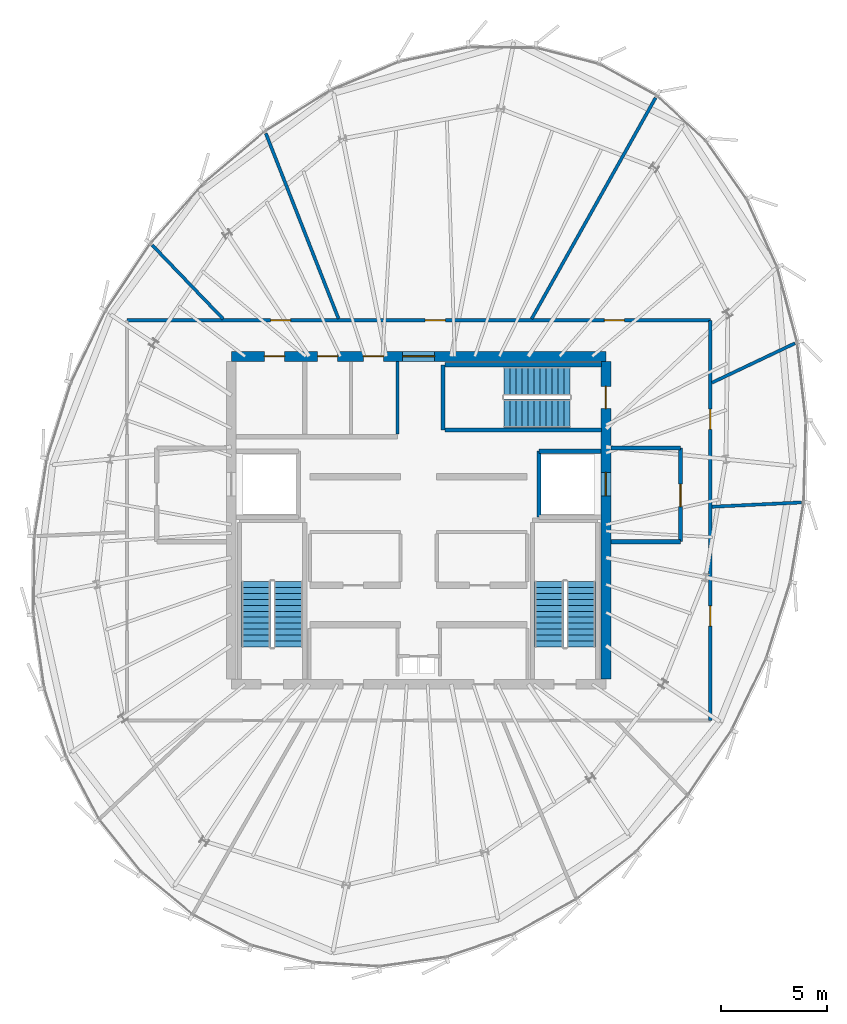
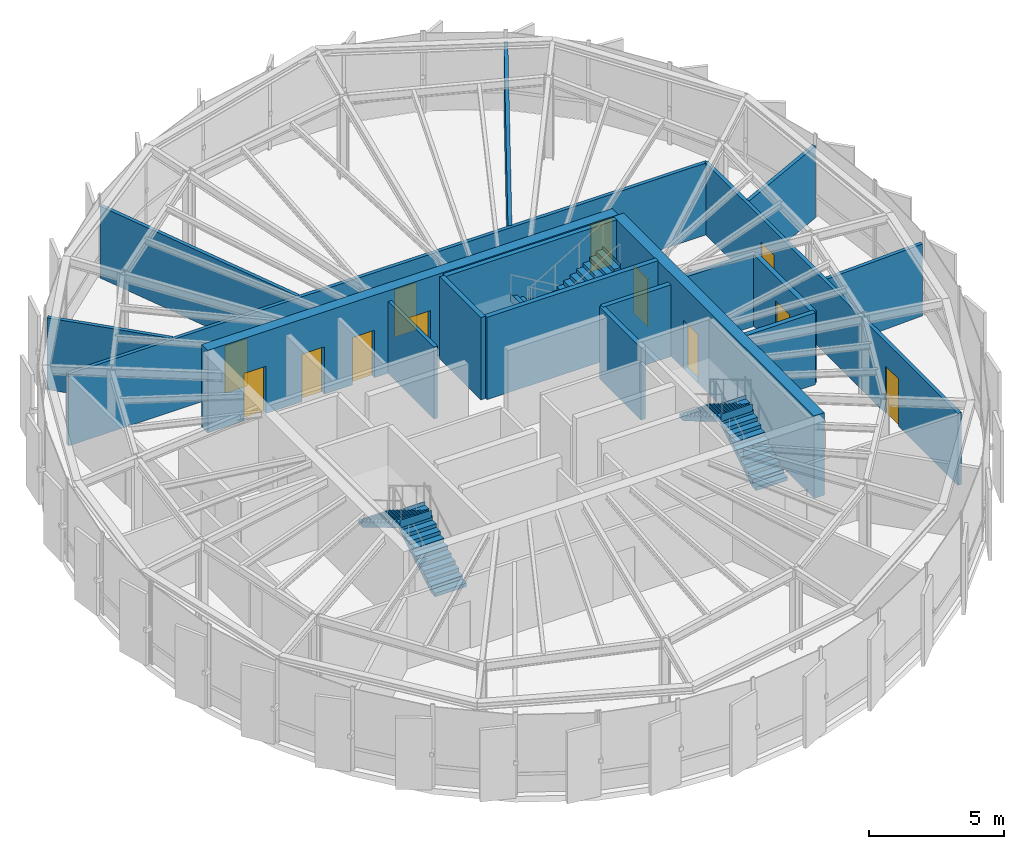
# One storey, part 23 of 27: 18 walls, 12 doors, 6 stair flights, 12 openings, 3 elements without a shape of their own.
"""IFC4 building model written with IfcOpenShell, lengths in metres."""

import ifcopenshell
import ifcopenshell.guid

model = None  # the IFC model being written
_history = None  # IfcOwnerHistory: only IFC2X3 demands one
_inside = {}  # id of a spatial element -> (the spatial element, [elements in it])
_under = {}  # id of a project, library or spatial element -> (it, [spatial elements below it])
_declared = {}  # id of a project -> (the project, [libraries it declares])
_typed = {}  # id of a type object -> (the type object, [elements of that type])
_made_of = {}  # id of a material, layer set ... -> (it, [elements and type objects made of it])


def new_model(schema):
    """Start an empty IFC model of exactly this schema.

    Asked for "IFC4X3", IfcOpenShell would pick the latest addendum, in which some entities
    have other attributes; the version numbers below select the first issue.
    IFC2X3 requires an IfcOwnerHistory on every rooted entity: one is made here for all.
    """
    global model, _history
    if schema == "IFC4X3":
        model = ifcopenshell.file(schema_version=(4, 3, 0, 0))
    else:
        model = ifcopenshell.file(schema=schema)
    _inside.clear()
    _under.clear()
    _declared.clear()
    _typed.clear()
    _made_of.clear()
    _history = None
    if model.schema == "IFC2X3":
        org = make("IfcOrganization", Name="unknown")
        user = make(
            "IfcPersonAndOrganization",
            ThePerson=make("IfcPerson", FamilyName="unknown"),
            TheOrganization=org,
        )
        app = make(
            "IfcApplication",
            ApplicationDeveloper=org,
            Version="unknown",
            ApplicationFullName="unknown",
            ApplicationIdentifier="unknown",
        )
        _history = make(
            "IfcOwnerHistory",
            OwningUser=user,
            OwningApplication=app,
            ChangeAction="ADDED",
            CreationDate=0,
        )
    return model


def make(cls, **values):
    """One entity of the class cls with the attributes given. An attribute that is None is left unset."""
    return model.create_entity(
        cls, **{name: value for name, value in values.items() if value is not None}
    )


def rooted(cls, **values):
    """An entity with a GlobalId (a new one), such as an element, a storey or a relation."""
    return make(cls, GlobalId=ifcopenshell.guid.new(), OwnerHistory=_history, **values)


def si_unit(unit_type, name, prefix=None):
    """IfcSIUnit, for example si_unit("LENGTHUNIT", "METRE", prefix="MILLI")."""
    return make("IfcSIUnit", UnitType=unit_type, Prefix=prefix, Name=name)


def assignment(units):
    """IfcUnitAssignment: the units of a project."""
    return None if units is None else make("IfcUnitAssignment", Units=units)


def point(xyz):
    """IfcCartesianPoint."""
    return None if xyz is None else make("IfcCartesianPoint", Coordinates=xyz)


def direction(xyz):
    """IfcDirection."""
    return None if xyz is None else make("IfcDirection", DirectionRatios=xyz)


def frame(location, z_axis=None, x_axis=None):
    """IfcAxis2Placement3D, a coordinate frame: its origin and axes. An axis left out is left unset."""
    return make(
        "IfcAxis2Placement3D",
        Location=point(location),
        Axis=direction(z_axis),
        RefDirection=direction(x_axis),
    )


def frame_2d(location, x_axis=None):
    """IfcAxis2Placement2D, a coordinate frame in the plane: its origin and x axis."""
    return make(
        "IfcAxis2Placement2D", Location=point(location), RefDirection=direction(x_axis)
    )


def origin():
    """The frame at (0, 0, 0) with its axes left unset."""
    return frame((0.0, 0.0, 0.0))


def place(relative_to, where):
    """IfcLocalPlacement: puts the frame where relative to a parent placement (None: the world)."""
    return make(
        "IfcLocalPlacement", PlacementRelTo=relative_to, RelativePlacement=where
    )


def context(
    kind, dimensions, precision=None, world=None, true_north=None, identifier=None
):
    """IfcGeometricRepresentationContext, for example the 3D "Model" context."""
    return make(
        "IfcGeometricRepresentationContext",
        ContextIdentifier=identifier,
        ContextType=kind,
        CoordinateSpaceDimension=dimensions,
        Precision=precision,
        WorldCoordinateSystem=world,
        TrueNorth=true_north,
    )


def subcontext(parent, identifier, kind, view, scale=None):
    """IfcGeometricRepresentationSubContext, for example "Body" below "Model"."""
    return make(
        "IfcGeometricRepresentationSubContext",
        ContextIdentifier=identifier,
        ContextType=kind,
        ParentContext=parent,
        TargetScale=scale,
        TargetView=view,
    )


def project(units=None, contexts=None):
    """IfcProject with its units and contexts."""
    return rooted(
        "IfcProject",
        Name="project",
        RepresentationContexts=contexts,
        UnitsInContext=assignment(units),
    )


def spatial(cls, under=None, at=None, **own):
    """A site, building, storey or space (cls), placed at a placement, below another one or the project."""
    s = rooted(cls, ObjectPlacement=at, **own)
    if under is not None:
        _under.setdefault(under.id(), (under, []))[1].append(s)
    return s


def polyline(points):
    """IfcPolyline through the points."""
    return make("IfcPolyline", Points=[point(p) for p in points])


def profile(cls, at=None, kind="AREA", **sizes):
    """A parametric profile (cls). Its sizes go by their IFC names, for example OverallWidth=200.0."""
    return make(cls, ProfileType=kind, Position=at, **sizes)


def rectangle(**sizes):
    """IfcRectangleProfileDef."""
    return profile("IfcRectangleProfileDef", **sizes)


def outline(outer, holes=None, kind="AREA"):
    """IfcArbitraryClosedProfileDef: a profile drawn as a closed curve; with holes, ...WithVoids."""
    if holes is None:
        return make("IfcArbitraryClosedProfileDef", ProfileType=kind, OuterCurve=outer)
    return make(
        "IfcArbitraryProfileDefWithVoids",
        ProfileType=kind,
        OuterCurve=outer,
        InnerCurves=holes,
    )


def extrude(swept, where, along, depth):
    """IfcExtrudedAreaSolid: the profile swept, set in the frame where, extruded along a direction by depth."""
    return make(
        "IfcExtrudedAreaSolid",
        SweptArea=swept,
        Position=where,
        ExtrudedDirection=direction(along),
        Depth=depth,
    )


def shape(context_of_items, identifier, shape_type, items):
    """IfcShapeRepresentation: the items that make up one representation, for example the "Body"."""
    return make(
        "IfcShapeRepresentation",
        ContextOfItems=context_of_items,
        RepresentationIdentifier=identifier,
        RepresentationType=shape_type,
        Items=items,
    )


def source(mapping_origin, context_of_items, identifier, shape_type, items):
    """IfcRepresentationMap: a shape defined once, which mapped items show again and again."""
    return make(
        "IfcRepresentationMap",
        MappingOrigin=mapping_origin,
        MappedRepresentation=shape(context_of_items, identifier, shape_type, items),
    )


def transform(
    local_origin,
    x_axis=None,
    y_axis=None,
    z_axis=None,
    scale=None,
    scale2=None,
    scale3=None,
    uniform=True,
):
    """IfcCartesianTransformationOperator3D, or its non-uniform kind. x_axis, y_axis, z_axis: its Axis1, 2, 3."""
    if uniform:
        return make(
            "IfcCartesianTransformationOperator3D",
            Axis1=direction(x_axis),
            Axis2=direction(y_axis),
            LocalOrigin=point(local_origin),
            Scale=scale,
            Axis3=direction(z_axis),
        )
    return make(
        "IfcCartesianTransformationOperator3DnonUniform",
        Axis1=direction(x_axis),
        Axis2=direction(y_axis),
        LocalOrigin=point(local_origin),
        Scale=scale,
        Axis3=direction(z_axis),
        Scale2=scale2,
        Scale3=scale3,
    )


def mapped(mapping_source, mapping_target):
    """IfcMappedItem: shows the shape of a source again, moved by a transform."""
    return make(
        "IfcMappedItem", MappingSource=mapping_source, MappingTarget=mapping_target
    )


def material(Name=None, Category=None):
    """IfcMaterial."""
    return make("IfcMaterial", Name=Name, Category=Category)


def layer(
    of_material, thickness, ventilated=None, Name=None, Category=None, Priority=None
):
    """IfcMaterialLayer: one layer of a wall or slab, of a material (None: an air gap)."""
    return make(
        "IfcMaterialLayer",
        Material=of_material,
        LayerThickness=thickness,
        IsVentilated=ventilated,
        Name=Name,
        Category=Category,
        Priority=Priority,
    )


def layer_set(layers, Name=None):
    """IfcMaterialLayerSet."""
    return make("IfcMaterialLayerSet", MaterialLayers=layers, LayerSetName=Name)


def made_of(thing, what):
    """Note that an element or type object is made of a material, layer set ...; save() writes the relation."""
    if what is not None:
        _made_of.setdefault(what.id(), (what, []))[1].append(thing)
    return thing


def type_object(cls, material=None, **own):
    """A type object (cls), such as IfcWallType, which elements share."""
    return made_of(rooted(cls, **own), material)


def element(
    cls,
    number,
    at=None,
    inside=None,
    cuts=None,
    type_object=None,
    material=None,
    context=None,
    identifier="Body",
    shape_type=None,
    held_by="IfcProductDefinitionShape",
    body=None,
    shapes=None,
    **own,
):
    """One element of the class cls, such as IfcWall. Its Tag is "e" and its number.

    at: its placement. inside: the storey or other place that contains it. cuts: it is an
    opening in that element (IfcRelVoidsElement). A single representation is given by context,
    identifier, shape_type and body (its items); several are given by shapes. held_by: the class
    of the entity that holds the representations. save() writes the other relations.
    """
    e = rooted(cls, Tag="e%d" % number, ObjectPlacement=at, **own)
    if body is not None:
        shapes = [shape(context, identifier, shape_type, body)]
    if shapes is not None:
        e.Representation = make(held_by, Representations=shapes)
    if inside is not None:
        _inside.setdefault(inside.id(), (inside, []))[1].append(e)
    if cuts is not None:
        rooted(
            "IfcRelVoidsElement", RelatingBuildingElement=cuts, RelatedOpeningElement=e
        )
    if type_object is not None:
        _typed.setdefault(type_object.id(), (type_object, []))[1].append(e)
    return made_of(e, material)


def fill(opening, filler):
    """IfcRelFillsElement: the door or window that sits in an opening."""
    return rooted(
        "IfcRelFillsElement",
        RelatingOpeningElement=opening,
        RelatedBuildingElement=filler,
    )


def aggregate(whole, parts):
    """IfcRelAggregates: a whole, such as a stair, and the parts it consists of."""
    return rooted("IfcRelAggregates", RelatingObject=whole, RelatedObjects=parts)


def save(model, path):
    """Write the relations noted so far, then the file.

    IfcRelAggregates (storeys below a building ...), IfcRelContainedInSpatialStructure (elements
    in a storey), IfcRelDefinesByType, IfcRelAssociatesMaterial and IfcRelDeclares: one each for
    every whole, place, type object, material and project.
    """
    for whole, parts in _under.values():
        aggregate(whole, parts)
    for where, things in _inside.values():
        rooted(
            "IfcRelContainedInSpatialStructure",
            RelatedElements=things,
            RelatingStructure=where,
        )
    for kind, things in _typed.values():
        rooted("IfcRelDefinesByType", RelatedObjects=things, RelatingType=kind)
    for what, things in _made_of.values():
        rooted("IfcRelAssociatesMaterial", RelatedObjects=things, RelatingMaterial=what)
    for by, libraries in _declared.values():
        rooted("IfcRelDeclares", RelatingContext=by, RelatedDefinitions=libraries)
    model.write(path)


model = new_model("IFC4")

# Units and contexts
model_context = context("Model", 3, precision=1e-05, world=origin(), true_north=direction((0.0, 1.0)))
body_context = subcontext(model_context, "Body", "Model", "MODEL_VIEW")
ifc_project = project(units=[si_unit("LENGTHUNIT", "METRE"), si_unit("AREAUNIT", "SQUARE_METRE"), si_unit("VOLUMEUNIT", "CUBIC_METRE"), si_unit("PLANEANGLEUNIT", "RADIAN"), si_unit("MASSUNIT", "GRAM", prefix="KILO"), si_unit("THERMODYNAMICTEMPERATUREUNIT", "KELVIN")], contexts=[model_context])

# Site, building, storey
site_placement = place(None, origin())
site = spatial("IfcSite", under=ifc_project, at=site_placement, CompositionType="ELEMENT")
building_placement = place(site_placement, origin())
building = spatial("IfcBuilding", under=site, at=building_placement, Name="Kethvar Cultural Tower", CompositionType="ELEMENT")
storey_placement = place(building_placement, frame((0.0, 0.0, 308.300048828125)))
storey = spatial("IfcBuildingStorey", under=building, at=storey_placement, Name="L82", CompositionType="ELEMENT", Elevation=308.300048828125)

# Wall, openings, doors
ifc_material_1 = material(Name="Concrete C50/60", Category="concrete")
ifc_layer_1 = layer(ifc_material_1, 0.449951171875, Name="Concrete C50/60", Category="concrete")
ifc_layer_set_1 = layer_set([ifc_layer_1], Name="Concrete C50/60 (450 mm)")
wall_type_1 = type_object("IfcWallType", Name="WL-CORE-450", PredefinedType="SHEAR", material=ifc_layer_set_1)
wall_1_placement = place(storey_placement, frame((55.60009765625, 35.5, 0.0), z_axis=(0.0, 0.0, 1.0), x_axis=(-1.0, 0.0, 0.0)))
wall_1 = element("IfcWall", 1, at=wall_1_placement, inside=storey, type_object=wall_type_1, Name="L82 Core Shear Wall N", PredefinedType="SHEAR", context=body_context, shape_type="SweptSolid", body=[
    extrude(rectangle(XDim=17.60009765625, YDim=0.449951171875, at=frame_2d((8.800048828125, 0.0))), origin(), (0.0, 0.0, 1.0), 3.73486328125),
])
opening_1_placement = place(wall_1_placement, frame((8.050048828125, 0.0, 0.0)))
opening_1 = element("IfcOpeningElement", 2, at=opening_1_placement, cuts=wall_1, Name="Opening D-L82-LN", PredefinedType="OPENING", context=body_context, shape_type="SweptSolid", body=[
    extrude(rectangle(XDim=1.5, YDim=2.199951171875, at=frame_2d((0.75, 1.10009765625))), frame((0.0, 0.23486328125, 0.0), z_axis=(0.0, -1.0, 0.0), x_axis=(1.0, 0.0, 0.0)), (0.0, 0.0, 1.0), 0.469970703125),
])
opening_2_placement = place(wall_1_placement, frame((15.10009765625, 0.0, 0.0)))
opening_2 = element("IfcOpeningElement", 3, at=opening_2_placement, cuts=wall_1, Name="Opening D-L82-E1", PredefinedType="OPENING", context=body_context, shape_type="SweptSolid", body=[
    extrude(rectangle(XDim=0.949951171875, YDim=2.14990234375, at=frame_2d((0.47509765625, 1.074951171875))), frame((0.0, 0.23486328125, 0.0), z_axis=(0.0, -1.0, 0.0), x_axis=(1.0, 0.0, 0.0)), (0.0, 0.0, 1.0), 0.469970703125),
])
opening_3_placement = place(wall_1_placement, frame((12.60009765625, 0.0, 0.0)))
opening_3 = element("IfcOpeningElement", 4, at=opening_3_placement, cuts=wall_1, Name="Opening D-L82-W1", PredefinedType="OPENING", context=body_context, shape_type="SweptSolid", body=[
    extrude(rectangle(XDim=0.949951171875, YDim=2.14990234375, at=frame_2d((0.47509765625, 1.074951171875))), frame((0.0, 0.23486328125, 0.0), z_axis=(0.0, -1.0, 0.0), x_axis=(1.0, 0.0, 0.0)), (0.0, 0.0, 1.0), 0.469970703125),
])
opening_4_placement = place(wall_1_placement, frame((10.449951171875, 0.0, 0.0)))
opening_4 = element("IfcOpeningElement", 5, at=opening_4_placement, cuts=wall_1, Name="Opening D-L82-W2", PredefinedType="OPENING", context=body_context, shape_type="SweptSolid", body=[
    extrude(rectangle(XDim=0.949951171875, YDim=2.14990234375, at=frame_2d((0.47509765625, 1.074951171875))), frame((0.0, 0.23486328125, 0.0), z_axis=(0.0, -1.0, 0.0), x_axis=(1.0, 0.0, 0.0)), (0.0, 0.0, 1.0), 0.469970703125),
])
ifc_material_2 = material(Name="Architectural Oak Timber", Category="wood")
door_type_1 = type_object("IfcDoorType", Name="DR-DBL-FD60-1500", OperationType="DOUBLE_DOOR_SINGLE_SWING", PredefinedType="DOOR", material=ifc_material_2)
shared_shape_1 = source(origin(), body_context, "Body", "SweptSolid", [
    extrude(rectangle(XDim=1.5, YDim=2.199951171875, at=frame_2d((0.75, 1.10009765625))), frame((0.0, 0.02490234375, 0.0), z_axis=(0.0, -1.0, 0.0), x_axis=(1.0, 0.0, 0.0)), (0.0, 0.0, 1.0), 0.050048828125),
])
door_1_placement = place(opening_1_placement, origin())
door_1 = element("IfcDoor", 6, at=door_1_placement, inside=storey, type_object=door_type_1, Name="L82 Lift Lobby Concourse Door", OperationType="DOUBLE_DOOR_SINGLE_SWING", OverallHeight=2.199951171875, OverallWidth=1.5, PredefinedType="DOOR", context=body_context, shape_type="MappedRepresentation", body=[
    mapped(shared_shape_1, transform((0.0, 0.0, 0.0), scale=1.0)),
])
fill(opening_1, door_1)
door_type_2 = type_object("IfcDoorType", Name="DR-FD30-950", OperationType="NOTDEFINED", PredefinedType="DOOR", material=ifc_material_2)
shared_shape_2 = source(origin(), body_context, "Body", "SweptSolid", [
    extrude(rectangle(XDim=0.949951171875, YDim=2.14990234375, at=frame_2d((0.47509765625, 1.074951171875))), frame((0.0, 0.02490234375, 0.0), z_axis=(0.0, -1.0, 0.0), x_axis=(1.0, 0.0, 0.0)), (0.0, 0.0, 1.0), 0.050048828125),
])
door_2_placement = place(opening_2_placement, origin())
door_2 = element("IfcDoor", 7, at=door_2_placement, inside=storey, type_object=door_type_2, Name="L82 Electrical Switchgear Door", OperationType="SINGLE_SWING_RIGHT", OverallHeight=2.14990234375, OverallWidth=0.949951171875, PredefinedType="DOOR", context=body_context, shape_type="MappedRepresentation", body=[
    mapped(shared_shape_2, transform((0.0, 0.0, 0.0), scale=1.0)),
])
fill(opening_2, door_2)
door_3_placement = place(opening_3_placement, origin())
door_3 = element("IfcDoor", 8, at=door_3_placement, inside=storey, type_object=door_type_2, Name="L82 Accessible Washroom Door", OperationType="SINGLE_SWING_LEFT", OverallHeight=2.14990234375, OverallWidth=0.949951171875, PredefinedType="DOOR", context=body_context, shape_type="MappedRepresentation", body=[
    mapped(shared_shape_2, transform((0.0, 0.0, 0.0), scale=1.0)),
])
fill(opening_3, door_3)
door_4_placement = place(opening_4_placement, origin())
door_4 = element("IfcDoor", 9, at=door_4_placement, inside=storey, type_object=door_type_2, Name="L82 Public Washroom Door", OperationType="SINGLE_SWING_RIGHT", OverallHeight=2.14990234375, OverallWidth=0.949951171875, PredefinedType="DOOR", context=body_context, shape_type="MappedRepresentation", body=[
    mapped(shared_shape_2, transform((0.0, 0.0, 0.0), scale=1.0)),
])
fill(opening_4, door_4)

wall_2_placement = place(storey_placement, frame((55.60009765625, 20.340087890625, 0.0), z_axis=(0.0, 0.0, 1.0), x_axis=(0.0, 1.0, 0.0)))
wall_2 = element("IfcWall", 10, at=wall_2_placement, inside=storey, type_object=wall_type_1, Name="L82 Core Shear Wall E", PredefinedType="SHEAR", context=body_context, shape_type="SweptSolid", body=[
    extrude(rectangle(XDim=14.919921875, YDim=0.449951171875, at=frame_2d((7.4599609375, 0.0))), origin(), (0.0, 0.0, 1.0), 3.73486328125),
])
opening_5_placement = place(wall_2_placement, frame((12.7099609375, 0.0, 0.0)))
opening_5 = element("IfcOpeningElement", 11, at=opening_5_placement, cuts=wall_2, Name="Opening D-L82-S3", PredefinedType="OPENING", context=body_context, shape_type="SweptSolid", body=[
    extrude(rectangle(XDim=1.050048828125, YDim=2.14990234375, at=frame_2d((0.52490234375, 1.074951171875))), frame((0.0, 0.23486328125, 0.0), z_axis=(0.0, -1.0, 0.0), x_axis=(1.0, 0.0, 0.0)), (0.0, 0.0, 1.0), 0.469970703125),
])
opening_6_placement = place(wall_2_placement, frame((8.610107421875, 0.0, 0.0)))
opening_6 = element("IfcOpeningElement", 12, at=opening_6_placement, cuts=wall_2, Name="Opening LD-2", PredefinedType="OPENING", context=body_context, shape_type="SweptSolid", body=[
    extrude(rectangle(XDim=1.10009765625, YDim=2.199951171875, at=frame_2d((0.550048828125, 1.10009765625))), frame((0.0, 0.23486328125, 0.0), z_axis=(0.0, -1.0, 0.0), x_axis=(1.0, 0.0, 0.0)), (0.0, 0.0, 1.0), 0.469970703125),
])
ifc_material_3 = material(Name="Steel S355J2", Category="steel")
door_type_3 = type_object("IfcDoorType", Name="DR-FD60-1050", OperationType="NOTDEFINED", PredefinedType="DOOR", material=ifc_material_3)
shared_shape_3 = source(origin(), body_context, "Body", "SweptSolid", [
    extrude(rectangle(XDim=1.050048828125, YDim=2.14990234375, at=frame_2d((0.52490234375, 1.074951171875))), frame((0.0, 0.02490234375, 0.0), z_axis=(0.0, -1.0, 0.0), x_axis=(1.0, 0.0, 0.0)), (0.0, 0.0, 1.0), 0.050048828125),
])
door_5_placement = place(opening_5_placement, origin())
door_5 = element("IfcDoor", 13, at=door_5_placement, inside=storey, type_object=door_type_3, Name="L82 Exit Stair 3 Door", OperationType="SINGLE_SWING_LEFT", OverallHeight=2.14990234375, OverallWidth=1.050048828125, PredefinedType="DOOR", context=body_context, shape_type="MappedRepresentation", body=[
    mapped(shared_shape_3, transform((0.0, 0.0, 0.0), scale=1.0)),
])
fill(opening_5, door_5)
door_type_4 = type_object("IfcDoorType", Name="DR-LIFT-SLIDE-1100", OperationType="NOTDEFINED", PredefinedType="DOOR", material=ifc_material_3)
shared_shape_4 = source(origin(), body_context, "Body", "SweptSolid", [
    extrude(rectangle(XDim=1.10009765625, YDim=2.199951171875, at=frame_2d((0.550048828125, 1.10009765625))), frame((0.0, 0.02490234375, 0.0), z_axis=(0.0, -1.0, 0.0), x_axis=(1.0, 0.0, 0.0)), (0.0, 0.0, 1.0), 0.050048828125),
])
door_6_placement = place(opening_6_placement, origin())
door_6 = element("IfcDoor", 14, at=door_6_placement, inside=storey, type_object=door_type_4, Name="L82 Firefighting Lift Landing Door FFL-02", OperationType="SLIDING_TO_RIGHT", OverallHeight=2.199951171875, OverallWidth=1.10009765625, PredefinedType="DOOR", context=body_context, shape_type="MappedRepresentation", body=[
    mapped(shared_shape_4, transform((0.0, 0.0, 0.0), scale=1.0)),
])
fill(opening_6, door_6)

# Wall
ifc_material_4 = material(Name="Gypsum Fireboard Partition")
ifc_layer_2 = layer(ifc_material_4, 0.14990234375, Name="Gypsum Fireboard Partition")
ifc_layer_set_2 = layer_set([ifc_layer_2], Name="Gypsum Fireboard Partition (150 mm)")
wall_type_2 = type_object("IfcWallType", Name="WL-FIRE-150", PredefinedType="PARTITIONING", material=ifc_layer_set_2)
wall_3_placement = place(storey_placement, frame((45.800048828125, 31.85009765625, 0.0), z_axis=(0.0, 0.0, 1.0), x_axis=(0.0, 1.0, 0.0)))
element("IfcWall", 15, at=wall_3_placement, inside=storey, type_object=wall_type_2, Name="L82 Sanitary Spine Wall", PredefinedType="PARTITIONING", context=body_context, shape_type="SweptSolid", body=[
    extrude(rectangle(XDim=3.414794921875, YDim=0.14990234375, at=frame_2d((1.70751953125, 0.0))), origin(), (0.0, 0.0, 1.0), 3.260009765625),
])

# Wall, openings, doors
wall_4_placement = place(storey_placement, frame((60.5, 18.39990234375, 0.0), z_axis=(0.0, 0.0, 1.0), x_axis=(0.0, 1.0, 0.0)))
wall_4 = element("IfcWall", 16, at=wall_4_placement, inside=storey, type_object=wall_type_2, Name="L82 Corridor Rated Wall E", PredefinedType="PARTITIONING", context=body_context, shape_type="SweptSolid", body=[
    extrude(rectangle(XDim=18.800048828125, YDim=0.14990234375, at=frame_2d((9.39990234375, 0.0))), origin(), (0.0, 0.0, 1.0), 3.260009765625),
])
opening_7_placement = place(wall_4_placement, frame((4.432861328125, 0.0, 0.0)))
opening_7 = element("IfcOpeningElement", 17, at=opening_7_placement, cuts=wall_4, Name="Opening D-L82-05", PredefinedType="OPENING", context=body_context, shape_type="SweptSolid", body=[
    extrude(rectangle(XDim=0.949951171875, YDim=2.14990234375, at=frame_2d((0.47509765625, 1.074951171875))), frame((0.0, 0.0849609375, 0.0), z_axis=(0.0, -1.0, 0.0), x_axis=(1.0, 0.0, 0.0)), (0.0, 0.0, 1.0), 0.169921875),
])
opening_8_placement = place(wall_4_placement, frame((13.672119140625, 0.0, 0.0)))
opening_8 = element("IfcOpeningElement", 18, at=opening_8_placement, cuts=wall_4, Name="Opening D-L82-06", PredefinedType="OPENING", context=body_context, shape_type="SweptSolid", body=[
    extrude(rectangle(XDim=0.949951171875, YDim=2.14990234375, at=frame_2d((0.47509765625, 1.074951171875))), frame((0.0, 0.0849609375, 0.0), z_axis=(0.0, -1.0, 0.0), x_axis=(1.0, 0.0, 0.0)), (0.0, 0.0, 1.0), 0.169921875),
])
door_7_placement = place(opening_7_placement, origin())
door_7 = element("IfcDoor", 19, at=door_7_placement, inside=storey, type_object=door_type_2, Name="L82 Fire Reserve Tank Plant Room 05 Door", OperationType="SINGLE_SWING_LEFT", OverallHeight=2.14990234375, OverallWidth=0.949951171875, PredefinedType="DOOR", context=body_context, shape_type="MappedRepresentation", body=[
    mapped(shared_shape_2, transform((0.0, 0.0, 0.0), scale=1.0)),
])
fill(opening_7, door_7)
door_8_placement = place(opening_8_placement, origin())
door_8 = element("IfcDoor", 20, at=door_8_placement, inside=storey, type_object=door_type_2, Name="L82 Facade BMU Mechanical Plant Room 06 Door", OperationType="SINGLE_SWING_RIGHT", OverallHeight=2.14990234375, OverallWidth=0.949951171875, PredefinedType="DOOR", context=body_context, shape_type="MappedRepresentation", body=[
    mapped(shared_shape_2, transform((0.0, 0.0, 0.0), scale=1.0)),
])
fill(opening_8, door_8)

wall_5_placement = place(storey_placement, frame((60.5, 37.199951171875, 0.0), z_axis=(0.0, 0.0, 1.0), x_axis=(-1.0, 0.0, 0.0)))
wall_5 = element("IfcWall", 21, at=wall_5_placement, inside=storey, type_object=wall_type_2, Name="L82 Corridor Rated Wall N", PredefinedType="PARTITIONING", context=body_context, shape_type="SweptSolid", body=[
    extrude(rectangle(XDim=27.39990234375, YDim=0.14990234375, at=frame_2d((13.699951171875, 0.0))), origin(), (0.0, 0.0, 1.0), 3.260009765625),
])
opening_9_placement = place(wall_5_placement, frame((4.030029296875, 0.0, 0.0)))
opening_9 = element("IfcOpeningElement", 22, at=opening_9_placement, cuts=wall_5, Name="Opening D-L82-07", PredefinedType="OPENING", context=body_context, shape_type="SweptSolid", body=[
    extrude(rectangle(XDim=0.949951171875, YDim=2.14990234375, at=frame_2d((0.47509765625, 1.074951171875))), frame((0.0, 0.0849609375, 0.0), z_axis=(0.0, -1.0, 0.0), x_axis=(1.0, 0.0, 0.0)), (0.0, 0.0, 1.0), 0.169921875),
])
opening_10_placement = place(wall_5_placement, frame((12.44677734375, 0.0, 0.0)))
opening_10 = element("IfcOpeningElement", 23, at=opening_10_placement, cuts=wall_5, Name="Opening D-L82-08", PredefinedType="OPENING", context=body_context, shape_type="SweptSolid", body=[
    extrude(rectangle(XDim=0.949951171875, YDim=2.14990234375, at=frame_2d((0.47509765625, 1.074951171875))), frame((0.0, 0.0849609375, 0.0), z_axis=(0.0, -1.0, 0.0), x_axis=(1.0, 0.0, 0.0)), (0.0, 0.0, 1.0), 0.169921875),
])
opening_11_placement = place(wall_5_placement, frame((19.70849609375, 0.0, 0.0)))
opening_11 = element("IfcOpeningElement", 24, at=opening_11_placement, cuts=wall_5, Name="Opening D-L82-09", PredefinedType="OPENING", context=body_context, shape_type="SweptSolid", body=[
    extrude(rectangle(XDim=0.949951171875, YDim=2.14990234375, at=frame_2d((0.47509765625, 1.074951171875))), frame((0.0, 0.0849609375, 0.0), z_axis=(0.0, -1.0, 0.0), x_axis=(1.0, 0.0, 0.0)), (0.0, 0.0, 1.0), 0.169921875),
])
door_9_placement = place(opening_9_placement, origin())
door_9 = element("IfcDoor", 25, at=door_9_placement, inside=storey, type_object=door_type_2, Name="L82 Cooling Tower Pump Plant Room 07 Door", OperationType="SINGLE_SWING_LEFT", OverallHeight=2.14990234375, OverallWidth=0.949951171875, PredefinedType="DOOR", context=body_context, shape_type="MappedRepresentation", body=[
    mapped(shared_shape_2, transform((0.0, 0.0, 0.0), scale=1.0)),
])
fill(opening_9, door_9)
door_10_placement = place(opening_10_placement, origin())
door_10 = element("IfcDoor", 26, at=door_10_placement, inside=storey, type_object=door_type_2, Name="L82 Emergency UPS Plant Room 08 Door", OperationType="SINGLE_SWING_RIGHT", OverallHeight=2.14990234375, OverallWidth=0.949951171875, PredefinedType="DOOR", context=body_context, shape_type="MappedRepresentation", body=[
    mapped(shared_shape_2, transform((0.0, 0.0, 0.0), scale=1.0)),
])
fill(opening_10, door_10)
door_11_placement = place(opening_11_placement, origin())
door_11 = element("IfcDoor", 27, at=door_11_placement, inside=storey, type_object=door_type_2, Name="L82 Smoke Extract Mechanical Plant Room 09 Door", OperationType="SINGLE_SWING_LEFT", OverallHeight=2.14990234375, OverallWidth=0.949951171875, PredefinedType="DOOR", context=body_context, shape_type="MappedRepresentation", body=[
    mapped(shared_shape_2, transform((0.0, 0.0, 0.0), scale=1.0)),
])
fill(opening_11, door_11)

# Walls
wall_6_placement = place(storey_placement, frame((60.579833984375, 28.439208984375, 0.0), z_axis=(0.0, 0.0, 1.0), x_axis=(0.998828771517, 0.048384761961, 0.0)))
element("IfcWall", 28, at=wall_6_placement, inside=storey, type_object=wall_type_2, Name="L82 Radial Partition Wall 06", PredefinedType="PARTITIONING", context=body_context, shape_type="SweptSolid", body=[
    extrude(rectangle(XDim=4.203125, YDim=0.14990234375, at=frame_2d((2.1015625, 0.0))), origin(), (0.0, 0.0, 1.0), 3.260009765625),
])
wall_7_placement = place(storey_placement, frame((60.572265625, 34.263916015625, 0.0), z_axis=(0.0, 0.0, 1.0), x_axis=(0.903261650303, 0.429090189928, 0.0)))
element("IfcWall", 29, at=wall_7_placement, inside=storey, type_object=wall_type_2, Name="L82 Radial Partition Wall 07", PredefinedType="PARTITIONING", context=body_context, shape_type="SweptSolid", body=[
    extrude(rectangle(XDim=4.3271484375, YDim=0.14990234375, at=frame_2d((2.16357421875, 0.0))), origin(), (0.0, 0.0, 1.0), 3.260009765625),
])
wall_8_placement = place(storey_placement, frame((52.10888671875, 37.269775390625, 0.0), z_axis=(0.0, 0.0, 1.0), x_axis=(0.489088509426, 0.872234160044, 0.0)))
element("IfcWall", 30, at=wall_8_placement, inside=storey, type_object=wall_type_2, Name="L82 Radial Partition Wall 08", PredefinedType="PARTITIONING", context=body_context, shape_type="SweptSolid", body=[
    extrude(rectangle(XDim=11.90478515625, YDim=0.14990234375, at=frame_2d((5.952392578125, 0.0))), origin(), (0.0, 0.0, 1.0), 3.260009765625),
])
wall_9_placement = place(storey_placement, frame((43.037841796875, 37.2744140625, 0.0), z_axis=(0.0, 0.0, 1.0), x_axis=(-0.365328438703, 0.930878688055, 0.0)))
element("IfcWall", 31, at=wall_9_placement, inside=storey, type_object=wall_type_2, Name="L82 Radial Partition Wall 09", PredefinedType="PARTITIONING", context=body_context, shape_type="SweptSolid", body=[
    extrude(rectangle(XDim=9.351318359375, YDim=0.14990234375, at=frame_2d((4.67578125, 0.0))), origin(), (0.0, 0.0, 1.0), 3.260009765625),
])
wall_10_placement = place(storey_placement, frame((37.62109375, 37.2578125, 0.0), z_axis=(0.0, 0.0, 1.0), x_axis=(-0.692861722407, 0.72107047757, 0.0)))
element("IfcWall", 32, at=wall_10_placement, inside=storey, type_object=wall_type_2, Name="L82 Radial Partition Wall 10", PredefinedType="PARTITIONING", context=body_context, shape_type="SweptSolid", body=[
    extrude(rectangle(XDim=4.82080078125, YDim=0.14990234375, at=frame_2d((2.410400390625, 0.0))), origin(), (0.0, 0.0, 1.0), 3.260009765625),
])
ifc_material_5 = material(Name="Concrete C40/50", Category="concrete")
ifc_layer_3 = layer(ifc_material_5, 0.199951171875, Name="Concrete C40/50", Category="concrete")
ifc_layer_set_3 = layer_set([ifc_layer_3], Name="Concrete C40/50 (200 mm)")
wall_type_3 = type_object("IfcWallType", Name="WL-FIRE-200", PredefinedType="PARTITIONING", material=ifc_layer_set_3)
wall_11_placement = place(storey_placement, frame((52.449951171875, 27.949951171875, 0.0), z_axis=(0.0, 0.0, 1.0), x_axis=(0.0, 1.0, 0.0)))
element("IfcWall", 33, at=wall_11_placement, inside=storey, type_object=wall_type_3, Name="L82 FFL-02 Shaft Inner Wall", PredefinedType="PARTITIONING", context=body_context, shape_type="SweptSolid", body=[
    extrude(rectangle(XDim=3.10009765625, YDim=0.199951171875, at=frame_2d((1.550048828125, 0.0))), origin(), (0.0, 0.0, 1.0), 3.260009765625),
])
wall_12_placement = place(storey_placement, frame((52.449951171875, 31.050048828125, 0.0), z_axis=(0.0, 0.0, 1.0), x_axis=(1.0, 0.0, 0.0)))
element("IfcWall", 34, at=wall_12_placement, inside=storey, type_object=wall_type_3, Name="L82 FFL-02 Shaft North Wall", PredefinedType="PARTITIONING", context=body_context, shape_type="SweptSolid", body=[
    extrude(rectangle(XDim=2.9150390625, YDim=0.199951171875, at=frame_2d((1.45751953125, 0.0))), origin(), (0.0, 0.0, 1.0), 3.260009765625),
])

# Wall, opening, door
wall_13_placement = place(storey_placement, frame((59.10009765625, 26.800048828125, 0.0), z_axis=(0.0, 0.0, 1.0), x_axis=(0.0, 1.0, 0.0)))
wall_13 = element("IfcWall", 35, at=wall_13_placement, inside=storey, type_object=wall_type_3, Name="L82 Firefighting Lobby 2 Wall", PredefinedType="PARTITIONING", context=body_context, shape_type="SweptSolid", body=[
    extrude(rectangle(XDim=4.39990234375, YDim=0.199951171875, at=frame_2d((2.199951171875, 0.0))), origin(), (0.0, 0.0, 1.0), 3.260009765625),
])
opening_12_placement = place(wall_13_placement, frame((1.64990234375, 0.0, 0.0)))
opening_12 = element("IfcOpeningElement", 36, at=opening_12_placement, cuts=wall_13, Name="Opening D-L82-F2", PredefinedType="OPENING", context=body_context, shape_type="SweptSolid", body=[
    extrude(rectangle(XDim=1.050048828125, YDim=2.14990234375, at=frame_2d((0.52490234375, 1.074951171875))), frame((0.0, 0.10986328125, 0.0), z_axis=(0.0, -1.0, 0.0), x_axis=(1.0, 0.0, 0.0)), (0.0, 0.0, 1.0), 0.219970703125),
])
door_12_placement = place(opening_12_placement, origin())
door_12 = element("IfcDoor", 37, at=door_12_placement, inside=storey, type_object=door_type_3, Name="L82 Firefighting Lobby 2 Fire Door", OperationType="SINGLE_SWING_LEFT", OverallHeight=2.14990234375, OverallWidth=1.050048828125, PredefinedType="DOOR", context=body_context, shape_type="MappedRepresentation", body=[
    mapped(shared_shape_3, transform((0.0, 0.0, 0.0), scale=1.0)),
])
fill(opening_12, door_12)

# Walls
for number, where, z_axis, x_axis, name in (
    (38, (55.8349609375, 26.800048828125, 0.0), (0.0, 0.0, 1.0), (1.0, 0.0, 0.0), "L82 FF Lobby 2 South Wall"),
    (39, (55.8349609375, 31.199951171875, 0.0), (0.0, 0.0, 1.0), (1.0, 0.0, 0.0), "L82 FF Lobby 2 North Wall"),
):
    element("IfcWall", number, at=place(storey_placement, frame(where, z_axis=z_axis, x_axis=x_axis)), inside=storey, type_object=wall_type_3, Name=name, PredefinedType="PARTITIONING", context=body_context, shape_type="SweptSolid", body=[
        extrude(rectangle(XDim=3.26513671875, YDim=0.199951171875, at=frame_2d((1.632568359375, 0.0))), origin(), (0.0, 0.0, 1.0), 3.260009765625),
    ])
ifc_layer_4 = layer(ifc_material_1, 0.199951171875, Name="Concrete C50/60", Category="concrete")
ifc_layer_set_4 = layer_set([ifc_layer_4], Name="Concrete C50/60 (200 mm)")
wall_type_4 = type_object("IfcWallType", Name="WL-STSHAFT-200", PredefinedType="SHEAR", material=ifc_layer_set_4)
wall_14_placement = place(storey_placement, frame((47.949951171875, 32.050048828125, 0.0), z_axis=(0.0, 0.0, 1.0), x_axis=(0.0, 1.0, 0.0)))
element("IfcWall", 40, at=wall_14_placement, inside=storey, type_object=wall_type_4, Name="L82 ST-03 Stair Shaft Wall FAR", PredefinedType="SHEAR", context=body_context, shape_type="SweptSolid", body=[
    extrude(rectangle(XDim=3.06005859375, YDim=0.199951171875, at=frame_2d((1.530029296875, 0.0))), origin(), (0.0, 0.0, 1.0), 3.73486328125),
])
for number, where, z_axis, x_axis, name in (
    (41, (48.050048828125, 35.110107421875, 0.0), (0.0, 0.0, 1.0), (1.0, 0.0, 0.0), "L82 ST-03 Stair Shaft Wall LEFT"),
    (42, (55.39990234375, 32.050048828125, 0.0), (0.0, 0.0, 1.0), (-1.0, 0.0, 0.0), "L82 ST-03 Stair Shaft Wall RIGHT"),
):
    element("IfcWall", number, at=place(storey_placement, frame(where, z_axis=z_axis, x_axis=x_axis)), inside=storey, type_object=wall_type_4, Name=name, PredefinedType="SHEAR", context=body_context, shape_type="SweptSolid", body=[
        extrude(rectangle(XDim=7.349853515625, YDim=0.199951171875, at=frame_2d((3.6748046875, 0.0))), origin(), (0.0, 0.0, 1.0), 3.73486328125),
    ])

# Stair, stair flights
stair_type = type_object("IfcStairType", Name="ST-DOGLEG-135", PredefinedType="HALF_TURN_STAIR", material=ifc_material_5)
stair_1_placement = place(storey_placement, origin())
stair_1 = element("IfcStair", 43, at=stair_1_placement, inside=storey, type_object=stair_type, Name="L82 Core Exit Stair 1", PredefinedType="HALF_TURN_STAIR")
stair_flight_type = type_object("IfcStairFlightType", Name="FL-STRAIGHT-135", PredefinedType="STRAIGHT", material=ifc_material_5)
stair_flight_1_placement = place(storey_placement, frame((40.675048828125, 21.85009765625, 0.0), z_axis=(0.0, 0.0, 1.0), x_axis=(0.0, 1.0, 0.0)))
stair_flight_1 = element("IfcStairFlight", 44, at=stair_flight_1_placement, type_object=stair_flight_type, Name="ST-01 flight 1", NumberOfRisers=12, NumberOfTreads=11, PredefinedType="STRAIGHT", RiserHeight=0.166666667, TreadLength=0.28, context=body_context, shape_type="SweptSolid", body=[
    extrude(outline(polyline([(-0.0009765625, -0.0009765625), (-0.0009765625, 0.166748046875), (0.280029296875, 0.166748046875), (0.280029296875, 0.333251953125), (0.56005859375, 0.333251953125), (0.56005859375, 0.5), (0.840087890625, 0.5), (0.840087890625, 0.666748046875), (1.1201171875, 0.666748046875), (1.1201171875, 0.833251953125), (1.39990234375, 0.833251953125), (1.39990234375, 1.0), (1.679931640625, 1.0), (1.679931640625, 1.166748046875), (1.9599609375, 1.166748046875), (1.9599609375, 1.333251953125), (2.239990234375, 1.333251953125), (2.239990234375, 1.5), (2.52001953125, 1.5), (2.52001953125, 1.666748046875), (2.800048828125, 1.666748046875), (2.800048828125, 1.833251953125), (3.080078125, 1.833251953125), (3.080078125, 2.0), (3.0810546875, 2.0), (3.0810546875, 1.658935546875), (0.29296875, 0.0), (0.0, -0.0009765625), (-0.0009765625, -0.0009765625)])), frame((0.0, 0.675048828125, 0.0), z_axis=(0.0, -1.0, 0.0), x_axis=(1.0, 0.0, 0.0)), (0.0, 0.0, 1.0), 1.35009765625),
])
stair_flight_2_placement = place(storey_placement, frame((39.1650390625, 24.929931640625, 2.0), z_axis=(0.0, 0.0, 1.0), x_axis=(0.0, -1.0, 0.0)))
stair_flight_2 = element("IfcStairFlight", 45, at=stair_flight_2_placement, type_object=stair_flight_type, Name="ST-01 flight 2", NumberOfRisers=12, NumberOfTreads=11, PredefinedType="STRAIGHT", RiserHeight=0.166666667, TreadLength=0.28, context=body_context, shape_type="SweptSolid", body=[
    extrude(outline(polyline([(-0.0009765625, -0.0009765625), (-0.0009765625, 0.166748046875), (0.280029296875, 0.166748046875), (0.280029296875, 0.333251953125), (0.56005859375, 0.333251953125), (0.56005859375, 0.5), (0.840087890625, 0.5), (0.840087890625, 0.666748046875), (1.1201171875, 0.666748046875), (1.1201171875, 0.833251953125), (1.39990234375, 0.833251953125), (1.39990234375, 1.0), (1.679931640625, 1.0), (1.679931640625, 1.166748046875), (1.9599609375, 1.166748046875), (1.9599609375, 1.333251953125), (2.239990234375, 1.333251953125), (2.239990234375, 1.5), (2.52001953125, 1.5), (2.52001953125, 1.666748046875), (2.800048828125, 1.666748046875), (2.800048828125, 1.833251953125), (3.080078125, 1.833251953125), (3.080078125, 2.0), (3.0810546875, 2.0), (3.0810546875, 1.658935546875), (0.29296875, 0.0), (0.0, -0.0009765625), (-0.0009765625, -0.0009765625)])), frame((0.0, 0.675048828125, 0.0), z_axis=(0.0, -1.0, 0.0), x_axis=(1.0, 0.0, 0.0)), (0.0, 0.0, 1.0), 1.35009765625),
])
aggregate(stair_1, [stair_flight_1, stair_flight_2])

stair_2_placement = place(storey_placement, origin())
stair_2 = element("IfcStair", 46, at=stair_2_placement, inside=storey, type_object=stair_type, Name="L82 Core Exit Stair 2", PredefinedType="HALF_TURN_STAIR")
stair_flight_3_placement = place(storey_placement, frame((54.43505859375, 21.85009765625, 0.0), z_axis=(0.0, 0.0, 1.0), x_axis=(0.0, 1.0, 0.0)))
stair_flight_3 = element("IfcStairFlight", 47, at=stair_flight_3_placement, type_object=stair_flight_type, Name="ST-02 flight 1", NumberOfRisers=12, NumberOfTreads=11, PredefinedType="STRAIGHT", RiserHeight=0.166666667, TreadLength=0.28, context=body_context, shape_type="SweptSolid", body=[
    extrude(outline(polyline([(-0.0009765625, -0.0009765625), (-0.0009765625, 0.166748046875), (0.280029296875, 0.166748046875), (0.280029296875, 0.333251953125), (0.56005859375, 0.333251953125), (0.56005859375, 0.5), (0.840087890625, 0.5), (0.840087890625, 0.666748046875), (1.1201171875, 0.666748046875), (1.1201171875, 0.833251953125), (1.39990234375, 0.833251953125), (1.39990234375, 1.0), (1.679931640625, 1.0), (1.679931640625, 1.166748046875), (1.9599609375, 1.166748046875), (1.9599609375, 1.333251953125), (2.239990234375, 1.333251953125), (2.239990234375, 1.5), (2.52001953125, 1.5), (2.52001953125, 1.666748046875), (2.800048828125, 1.666748046875), (2.800048828125, 1.833251953125), (3.080078125, 1.833251953125), (3.080078125, 2.0), (3.0810546875, 2.0), (3.0810546875, 1.658935546875), (0.29296875, 0.0), (0.0, -0.0009765625), (-0.0009765625, -0.0009765625)])), frame((0.0, 0.675048828125, 0.0), z_axis=(0.0, -1.0, 0.0), x_axis=(1.0, 0.0, 0.0)), (0.0, 0.0, 1.0), 1.35009765625),
])
stair_flight_4_placement = place(storey_placement, frame((52.925048828125, 24.929931640625, 2.0), z_axis=(0.0, 0.0, 1.0), x_axis=(0.0, -1.0, 0.0)))
stair_flight_4 = element("IfcStairFlight", 48, at=stair_flight_4_placement, type_object=stair_flight_type, Name="ST-02 flight 2", NumberOfRisers=12, NumberOfTreads=11, PredefinedType="STRAIGHT", RiserHeight=0.166666667, TreadLength=0.28, context=body_context, shape_type="SweptSolid", body=[
    extrude(outline(polyline([(-0.0009765625, -0.0009765625), (-0.0009765625, 0.166748046875), (0.280029296875, 0.166748046875), (0.280029296875, 0.333251953125), (0.56005859375, 0.333251953125), (0.56005859375, 0.5), (0.840087890625, 0.5), (0.840087890625, 0.666748046875), (1.1201171875, 0.666748046875), (1.1201171875, 0.833251953125), (1.39990234375, 0.833251953125), (1.39990234375, 1.0), (1.679931640625, 1.0), (1.679931640625, 1.166748046875), (1.9599609375, 1.166748046875), (1.9599609375, 1.333251953125), (2.239990234375, 1.333251953125), (2.239990234375, 1.5), (2.52001953125, 1.5), (2.52001953125, 1.666748046875), (2.800048828125, 1.666748046875), (2.800048828125, 1.833251953125), (3.080078125, 1.833251953125), (3.080078125, 2.0), (3.0810546875, 2.0), (3.0810546875, 1.658935546875), (0.29296875, 0.0), (0.0, -0.0009765625), (-0.0009765625, -0.0009765625)])), frame((0.0, 0.675048828125, 0.0), z_axis=(0.0, -1.0, 0.0), x_axis=(1.0, 0.0, 0.0)), (0.0, 0.0, 1.0), 1.35009765625),
])
aggregate(stair_2, [stair_flight_3, stair_flight_4])

stair_3_placement = place(storey_placement, origin())
stair_3 = element("IfcStair", 49, at=stair_3_placement, inside=storey, type_object=stair_type, Name="L82 Core Exit Stair 3", PredefinedType="HALF_TURN_STAIR")
stair_flight_5_placement = place(storey_placement, frame((53.89990234375, 34.3349609375, 0.0), z_axis=(0.0, 0.0, 1.0), x_axis=(-1.0, 0.0, 0.0)))
stair_flight_5 = element("IfcStairFlight", 50, at=stair_flight_5_placement, type_object=stair_flight_type, Name="ST-03 flight 1", NumberOfRisers=12, NumberOfTreads=11, PredefinedType="STRAIGHT", RiserHeight=0.166666667, TreadLength=0.28, context=body_context, shape_type="SweptSolid", body=[
    extrude(outline(polyline([(-0.0009765625, -0.0009765625), (-0.0009765625, 0.166748046875), (0.280029296875, 0.166748046875), (0.280029296875, 0.333251953125), (0.56005859375, 0.333251953125), (0.56005859375, 0.5), (0.840087890625, 0.5), (0.840087890625, 0.666748046875), (1.1201171875, 0.666748046875), (1.1201171875, 0.833251953125), (1.39990234375, 0.833251953125), (1.39990234375, 1.0), (1.679931640625, 1.0), (1.679931640625, 1.166748046875), (1.9599609375, 1.166748046875), (1.9599609375, 1.333251953125), (2.239990234375, 1.333251953125), (2.239990234375, 1.5), (2.52001953125, 1.5), (2.52001953125, 1.666748046875), (2.800048828125, 1.666748046875), (2.800048828125, 1.833251953125), (3.080078125, 1.833251953125), (3.080078125, 2.0), (3.0810546875, 2.0), (3.0810546875, 1.658935546875), (0.29296875, 0.0), (0.0, -0.0009765625), (-0.0009765625, -0.0009765625)])), frame((0.0, 0.675048828125, 0.0), z_axis=(0.0, -1.0, 0.0), x_axis=(1.0, 0.0, 0.0)), (0.0, 0.0, 1.0), 1.35009765625),
])
stair_flight_6_placement = place(storey_placement, frame((50.820068359375, 32.824951171875, 2.0), z_axis=(0.0, 0.0, 1.0), x_axis=(1.0, 0.0, 0.0)))
stair_flight_6 = element("IfcStairFlight", 51, at=stair_flight_6_placement, type_object=stair_flight_type, Name="ST-03 flight 2", NumberOfRisers=12, NumberOfTreads=11, PredefinedType="STRAIGHT", RiserHeight=0.166666667, TreadLength=0.28, context=body_context, shape_type="SweptSolid", body=[
    extrude(outline(polyline([(-0.0009765625, -0.0009765625), (-0.0009765625, 0.166748046875), (0.280029296875, 0.166748046875), (0.280029296875, 0.333251953125), (0.56005859375, 0.333251953125), (0.56005859375, 0.5), (0.840087890625, 0.5), (0.840087890625, 0.666748046875), (1.1201171875, 0.666748046875), (1.1201171875, 0.833251953125), (1.39990234375, 0.833251953125), (1.39990234375, 1.0), (1.679931640625, 1.0), (1.679931640625, 1.166748046875), (1.9599609375, 1.166748046875), (1.9599609375, 1.333251953125), (2.239990234375, 1.333251953125), (2.239990234375, 1.5), (2.52001953125, 1.5), (2.52001953125, 1.666748046875), (2.800048828125, 1.666748046875), (2.800048828125, 1.833251953125), (3.080078125, 1.833251953125), (3.080078125, 2.0), (3.0810546875, 2.0), (3.0810546875, 1.658935546875), (0.29296875, 0.0), (0.0, -0.0009765625), (-0.0009765625, -0.0009765625)])), frame((0.0, 0.675048828125, 0.0), z_axis=(0.0, -1.0, 0.0), x_axis=(1.0, 0.0, 0.0)), (0.0, 0.0, 1.0), 1.35009765625),
])
aggregate(stair_3, [stair_flight_5, stair_flight_6])

save(model, "model.ifc")
